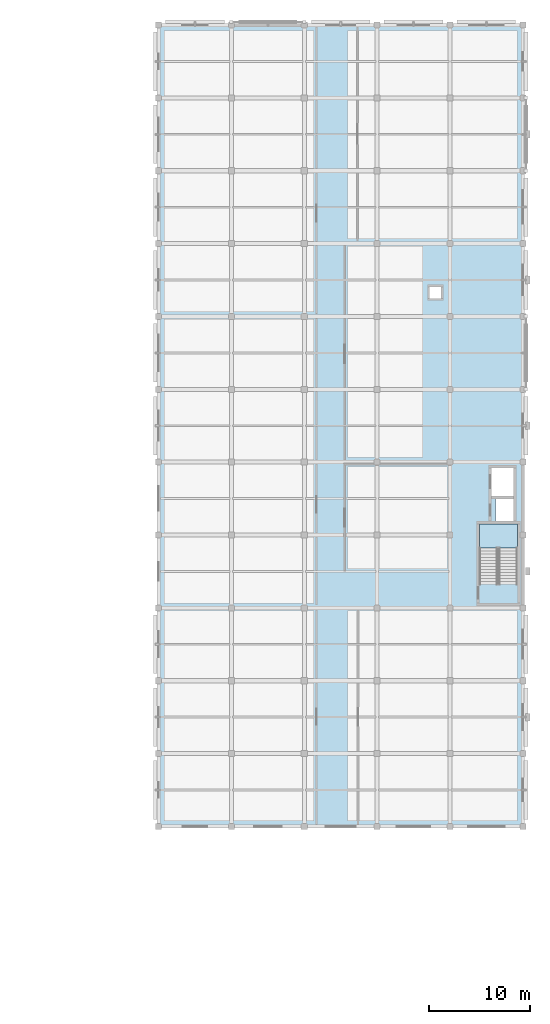
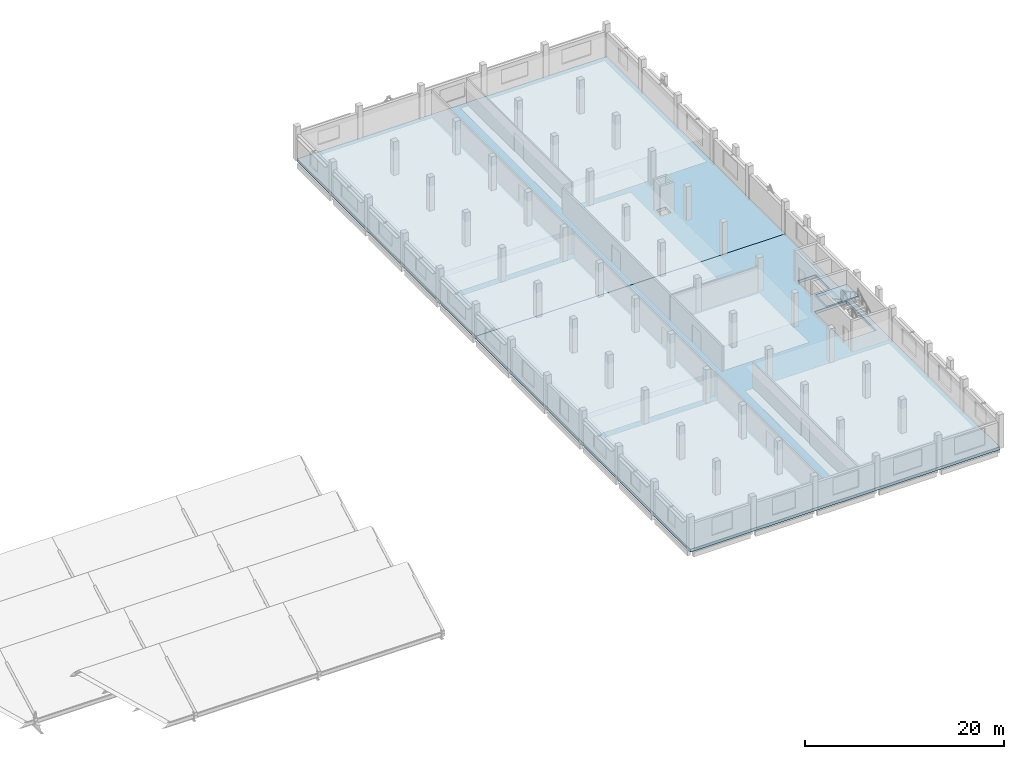
# One storey, part 31 of 51: 3 slabs, 1 element without a shape of its own.
"""IFC4 building model written with IfcOpenShell, lengths in metres."""

from ifc_helpers import new_model, si_unit, direction, frame, origin, place, context, subcontext, project, spatial, polyline, outline, extrude, material, layer, layer_set, type_object, element, aggregate, save


model = new_model("IFC4")

# Units and contexts
model_context = context("Model", 3, precision=1e-05, world=origin(), true_north=direction((0.0, 1.0)))
body_context = subcontext(model_context, "Body", "Model", "MODEL_VIEW")
ifc_project = project(units=[si_unit("LENGTHUNIT", "METRE"), si_unit("AREAUNIT", "SQUARE_METRE"), si_unit("VOLUMEUNIT", "CUBIC_METRE"), si_unit("PLANEANGLEUNIT", "RADIAN"), si_unit("MASSUNIT", "GRAM", prefix="KILO")], contexts=[model_context])

# Site, building, storey
site_placement = place(None, origin())
site = spatial("IfcSite", under=ifc_project, at=site_placement, CompositionType="ELEMENT")
building_placement = place(site_placement, origin())
building = spatial("IfcBuilding", under=site, at=building_placement, Name="Valkovuoma Quantum and Materials Research Institute", CompositionType="ELEMENT")
storey_placement = place(building_placement, frame((0.0, 0.0, 17.280029296875)))
storey = spatial("IfcBuildingStorey", under=building, at=storey_placement, Name="L04", CompositionType="ELEMENT", Elevation=17.280029296875)

# Slabs
ifc_material_1 = material(Name="Concrete C40/50", Category="concrete")
ifc_layer_1 = layer(ifc_material_1, 0.35009765625)
ifc_layer_set_1 = layer_set([ifc_layer_1], Name="Concrete C40/50")
slab_type_1 = type_object("IfcSlabType", Name="Slab-SL-FL350", PredefinedType="FLOOR", material=ifc_layer_set_1)
slab_1_placement = place(storey_placement, frame((0.0, 0.0, -0.35009765625)))
element("IfcSlab", 1, at=slab_1_placement, inside=storey, type_object=slab_type_1, Name="L04 vol4_wetlab structural slab 1", PredefinedType="FLOOR", context=body_context, shape_type="SweptSolid", body=[
    extrude(outline(polyline([(129.60009765625, 36.0), (165.60009765625, 36.0), (165.60009765625, 79.199951171875), (129.60009765625, 79.199951171875), (129.60009765625, 36.0)]), holes=[polyline([(161.300048828125, 59.9599609375), (165.050048828125, 59.9599609375), (165.050048828125, 65.89990234375), (161.300048828125, 65.89990234375), (161.300048828125, 59.9599609375)]), polyline([(162.919921875, 66.1201171875), (164.679931640625, 66.1201171875), (164.679931640625, 68.3798828125), (162.919921875, 68.3798828125), (162.919921875, 66.1201171875)]), polyline([(162.52001953125, 68.669921875), (164.679931640625, 68.669921875), (164.679931640625, 71.429931640625), (162.52001953125, 71.429931640625), (162.52001953125, 68.669921875)])]), origin(), (0.0, 0.0, 1.0), 0.35009765625),
])
slab_2_placement = place(storey_placement, frame((0.0, 0.0, -0.35009765625)))
element("IfcSlab", 2, at=slab_2_placement, inside=storey, type_object=slab_type_1, Name="L04 vol4_wetlab structural slab 2", PredefinedType="FLOOR", context=body_context, shape_type="SweptSolid", body=[
    extrude(outline(polyline([(129.60009765625, 79.199951171875), (165.60009765625, 79.199951171875), (165.60009765625, 115.199951171875), (129.60009765625, 115.199951171875), (129.60009765625, 79.199951171875)]), holes=[polyline([(156.39990234375, 88.199951171875), (157.5, 88.199951171875), (157.5, 89.300048828125), (156.39990234375, 89.300048828125), (156.39990234375, 88.199951171875)])]), origin(), (0.0, 0.0, 1.0), 0.35009765625),
])

# Stair, slab
ifc_material_2 = material(Name="Concrete C40/50", Category="concrete")
stair_type = type_object("IfcStairType", Name="Stair-ST-COR", PredefinedType="HALF_TURN_STAIR", material=ifc_material_2)
stair_placement = place(storey_placement, origin())
stair = element("IfcStair", 3, at=stair_placement, inside=storey, type_object=stair_type, Name="L04 Exit Stair ST-3", PredefinedType="HALF_TURN_STAIR")
ifc_material_3 = material(Name="Concrete C40/50", Category="concrete")
ifc_layer_2 = layer(ifc_material_3, 0.199951171875)
ifc_layer_set_2 = layer_set([ifc_layer_2], Name="Concrete C40/50")
slab_type_2 = type_object("IfcSlabType", Name="Slab-SL-LND200", PredefinedType="LANDING", material=ifc_layer_set_2)
slab_3_placement = place(storey_placement, frame((0.0, 0.0, 1.8798828125)))
slab_3 = element("IfcSlab", 4, at=slab_3_placement, type_object=slab_type_2, Name="ST-3 landing 1", PredefinedType="LANDING", context=body_context, shape_type="SweptSolid", body=[
    extrude(outline(polyline([(165.050048828125, 63.5), (165.050048828125, 65.89990234375), (161.300048828125, 65.89990234375), (161.300048828125, 63.5), (165.050048828125, 63.5)])), origin(), (0.0, 0.0, 1.0), 0.2001953125),
])
aggregate(stair, [slab_3])

save(model, "model.ifc")
